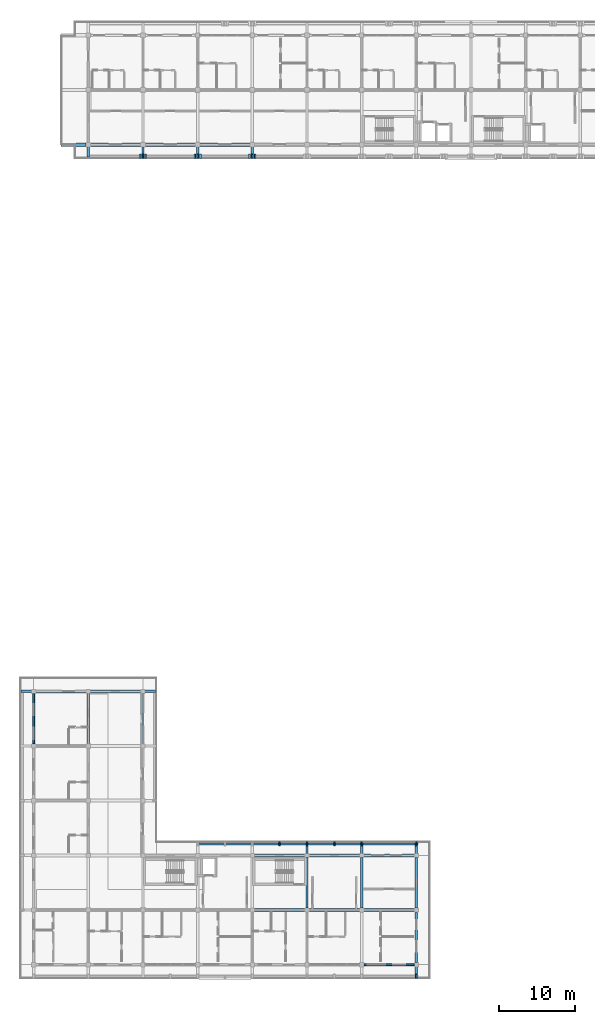
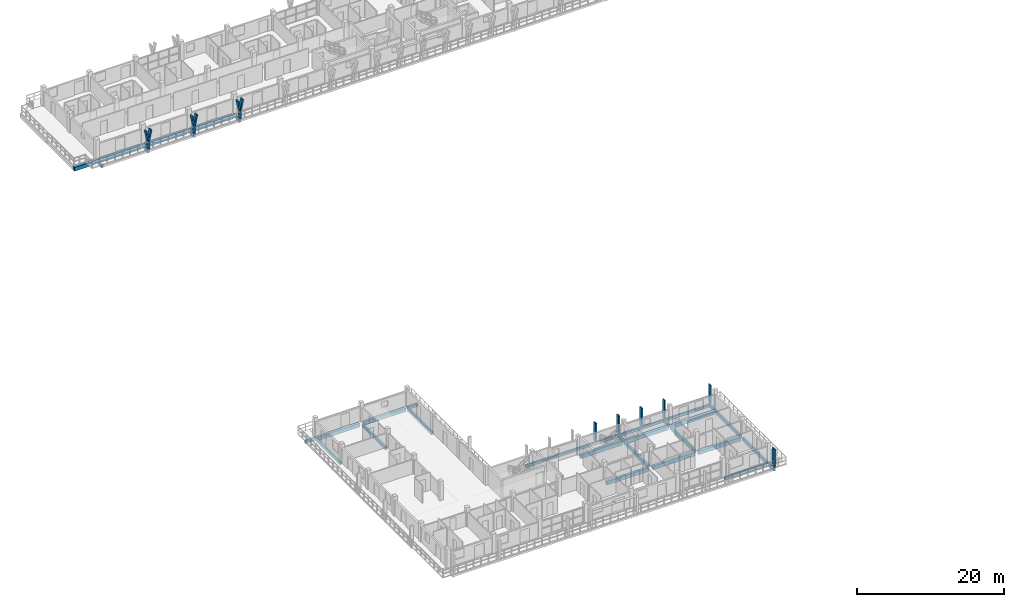
# One storey, part 7 of 73: 31 beams, 15 members.
"""IFC4 building model written with IfcOpenShell, lengths in metres."""

from ifc_helpers import new_model, si_unit, direction, frame, origin, origin_2d, place, context, subcontext, project, spatial, rectangle, extrude, material, material_profile, profile_set, type_object, element, save


model = new_model("IFC4")

# Units and contexts
model_context = context("Model", 3, precision=1e-05, world=origin(), true_north=direction((0.0, 1.0)))
body_context = subcontext(model_context, "Body", "Model", "MODEL_VIEW")
ifc_project = project(units=[si_unit("LENGTHUNIT", "METRE"), si_unit("AREAUNIT", "SQUARE_METRE"), si_unit("VOLUMEUNIT", "CUBIC_METRE"), si_unit("PLANEANGLEUNIT", "RADIAN"), si_unit("MASSUNIT", "GRAM", prefix="KILO")], contexts=[model_context])

# Site, building, storey
site_placement = place(None, origin())
site = spatial("IfcSite", under=ifc_project, at=site_placement, CompositionType="ELEMENT")
building_placement = place(site_placement, origin())
building = spatial("IfcBuilding", under=site, at=building_placement, Name="Suanplinth Sawtooth Commons", CompositionType="ELEMENT")
storey_placement = place(building_placement, frame((0.0, 0.0, 21.89990234375)))
storey = spatial("IfcBuildingStorey", under=building, at=storey_placement, Name="L06", CompositionType="ELEMENT", Elevation=21.89990234375)

# Beams
ifc_material_1 = material(Name="Precast concrete C40/50", Category="concrete")
ifc_material_profile_1 = material_profile(ifc_material_1, rectangle(XDim=0.449951171875, YDim=0.64990234375, at=origin_2d()), Name="PC-GDR 450x650")
ifc_profile_set_1 = profile_set([ifc_material_profile_1], Name="Precast concrete C40/50")
beam_type_1 = type_object("IfcBeamType", Name="B-04", PredefinedType="USERDEFINED", material=ifc_profile_set_1)
beam_1_placement = place(storey_placement, frame((7.52490234375, 108.0, -0.56494140625), z_axis=(1.0, 0.0, 0.0), x_axis=(0.0, 1.0, 0.0)))
element("IfcBeam", 1, at=beam_1_placement, inside=storey, type_object=beam_type_1, Name="BMX-L06-A-1-15", ObjectType="GIRDER", PredefinedType="USERDEFINED", context=body_context, shape_type="SweptSolid", body=[
    extrude(rectangle(XDim=0.449951171875, YDim=0.64990234375, at=origin_2d()), origin(), (0.0, 0.0, 1.0), 6.550048828125),
])
beam_2_placement = place(storey_placement, frame((14.72509765625, 108.0, -0.56494140625), z_axis=(1.0, 0.0, 0.0), x_axis=(0.0, 1.0, 0.0)))
element("IfcBeam", 2, at=beam_2_placement, inside=storey, type_object=beam_type_1, Name="BMX-L06-A-2-15", ObjectType="GIRDER", PredefinedType="USERDEFINED", context=body_context, shape_type="SweptSolid", body=[
    extrude(rectangle(XDim=0.449951171875, YDim=0.64990234375, at=origin_2d()), origin(), (0.0, 0.0, 1.0), 6.5498046875),
])
beam_3_placement = place(storey_placement, frame((21.925048828125, 108.0, -0.56494140625), z_axis=(1.0, 0.0, 0.0), x_axis=(0.0, 1.0, 0.0)))
element("IfcBeam", 3, at=beam_3_placement, inside=storey, type_object=beam_type_1, Name="BMX-L06-A-3-15", ObjectType="GIRDER", PredefinedType="USERDEFINED", context=body_context, shape_type="SweptSolid", body=[
    extrude(rectangle(XDim=0.449951171875, YDim=0.64990234375, at=origin_2d()), origin(), (0.0, 0.0, 1.0), 6.550048828125),
])
beam_4_placement = place(storey_placement, frame((6.875, 108.0, -0.56494140625), z_axis=(-1.0, 0.0, 0.0), x_axis=(0.0, -1.0, 0.0)))
element("IfcBeam", 4, at=beam_4_placement, inside=storey, type_object=beam_type_1, Name="BMX-L06-A-WCANT-15", ObjectType="GIRDER", PredefinedType="USERDEFINED", context=body_context, shape_type="SweptSolid", body=[
    extrude(rectangle(XDim=0.449951171875, YDim=0.64990234375, at=origin_2d()), origin(), (0.0, 0.0, 1.0), 3.27490234375),
])
ifc_material_profile_2 = material_profile(ifc_material_1, rectangle(XDim=0.39990234375, YDim=0.60009765625, at=origin_2d()), Name="PC-GDR 400x600")
ifc_profile_set_2 = profile_set([ifc_material_profile_2], Name="Precast concrete C40/50")
beam_type_2 = type_object("IfcBeamType", Name="B-05", PredefinedType="USERDEFINED", material=ifc_profile_set_2)
beam_5_placement = place(storey_placement, frame((0.300048828125, 36.0, -0.539794921875), z_axis=(1.0, 0.0, 0.0), x_axis=(0.0, 1.0, 0.0)))
element("IfcBeam", 5, at=beam_5_placement, inside=storey, type_object=beam_type_2, Name="BMX-L06-D-0-5", ObjectType="GIRDER", PredefinedType="USERDEFINED", context=body_context, shape_type="SweptSolid", body=[
    extrude(rectangle(XDim=0.39990234375, YDim=0.60009765625, at=origin_2d()), origin(), (0.0, 0.0, 1.0), 6.599853515625),
])
beam_6_placement = place(storey_placement, frame((7.5, 36.0, -0.539794921875), z_axis=(1.0, 0.0, 0.0), x_axis=(0.0, 1.0, 0.0)))
element("IfcBeam", 6, at=beam_6_placement, inside=storey, type_object=beam_type_2, Name="BMX-L06-D-1-5", ObjectType="GIRDER", PredefinedType="USERDEFINED", context=body_context, shape_type="SweptSolid", body=[
    extrude(rectangle(XDim=0.39990234375, YDim=0.60009765625, at=origin_2d()), origin(), (0.0, 0.0, 1.0), 6.60009765625),
])
for number, where, z_axis, x_axis, name in (
    (7, (29.10009765625, 7.199951171875, -0.539794921875), (1.0, 0.0, 0.0), (0.0, 1.0, 0.0), "BMX-L06-D-4-1"),
    (8, (29.10009765625, 14.39990234375, -0.539794921875), (1.0, 0.0, 0.0), (0.0, 1.0, 0.0), "BMX-L06-D-4-2"),
    (9, (36.300048828125, 7.199951171875, -0.539794921875), (1.0, 0.0, 0.0), (0.0, 1.0, 0.0), "BMX-L06-D-5-1"),
    (10, (36.300048828125, 14.39990234375, -0.539794921875), (1.0, 0.0, 0.0), (0.0, 1.0, 0.0), "BMX-L06-D-5-2"),
):
    element("IfcBeam", number, at=place(storey_placement, frame(where, z_axis=z_axis, x_axis=x_axis)), inside=storey, type_object=beam_type_2, Name=name, ObjectType="GIRDER", PredefinedType="USERDEFINED", context=body_context, shape_type="SweptSolid", body=[
        extrude(rectangle(XDim=0.39990234375, YDim=0.60009765625, at=origin_2d()), origin(), (0.0, 0.0, 1.0), 6.599853515625),
    ])
for number, where, z_axis, x_axis, name in (
    (11, (43.5, 7.199951171875, -0.539794921875), (1.0, 0.0, 0.0), (0.0, 1.0, 0.0), "BMX-L06-D-6-1"),
    (12, (43.5, 14.39990234375, -0.539794921875), (1.0, 0.0, 0.0), (0.0, 1.0, 0.0), "BMX-L06-D-6-2"),
):
    element("IfcBeam", number, at=place(storey_placement, frame(where, z_axis=z_axis, x_axis=x_axis)), inside=storey, type_object=beam_type_2, Name=name, ObjectType="GIRDER", PredefinedType="USERDEFINED", context=body_context, shape_type="SweptSolid", body=[
        extrude(rectangle(XDim=0.39990234375, YDim=0.60009765625, at=origin_2d()), origin(), (0.0, 0.0, 1.0), 6.60009765625),
    ])
ifc_material_profile_3 = material_profile(ifc_material_1, rectangle(XDim=0.300048828125, YDim=0.5, at=origin_2d()), Name="PC-BM 300x500")
ifc_profile_set_3 = profile_set([ifc_material_profile_3], Name="Precast concrete C40/50")
beam_type_3 = type_object("IfcBeamType", Name="B-07", PredefinedType="BEAM", material=ifc_profile_set_3)
for number, where, z_axis, x_axis, name in (
    (13, (7.199951171875, 29.10009765625, -0.489990234375), (0.0, 1.0, 0.0), (-1.0, 0.0, 0.0), "BMY-L06-D-1-4"),
    (14, (14.39990234375, 29.10009765625, -0.489990234375), (0.0, 1.0, 0.0), (-1.0, 0.0, 0.0), "BMY-L06-D-2-4"),
):
    element("IfcBeam", number, at=place(storey_placement, frame(where, z_axis=z_axis, x_axis=x_axis)), inside=storey, type_object=beam_type_3, Name=name, PredefinedType="BEAM", context=body_context, shape_type="SweptSolid", body=[
        extrude(rectangle(XDim=0.300048828125, YDim=0.5, at=origin_2d()), origin(), (0.0, 0.0, 1.0), 6.599853515625),
    ])
for number, where, z_axis, x_axis, name in (
    (15, (36.0, 7.5, -0.489990234375), (0.0, 1.0, 0.0), (-1.0, 0.0, 0.0), "BMY-L06-D-5-1"),
    (16, (43.199951171875, 7.5, -0.489990234375), (0.0, 1.0, 0.0), (-1.0, 0.0, 0.0), "BMY-L06-D-6-1"),
):
    element("IfcBeam", number, at=place(storey_placement, frame(where, z_axis=z_axis, x_axis=x_axis)), inside=storey, type_object=beam_type_3, Name=name, PredefinedType="BEAM", context=body_context, shape_type="SweptSolid", body=[
        extrude(rectangle(XDim=0.300048828125, YDim=0.5, at=origin_2d()), origin(), (0.0, 0.0, 1.0), 6.60009765625),
    ])
beam_7_placement = place(storey_placement, frame((50.39990234375, 0.300048828125, -0.489990234375), z_axis=(0.0, 1.0, 0.0), x_axis=(-1.0, 0.0, 0.0)))
element("IfcBeam", 17, at=beam_7_placement, inside=storey, type_object=beam_type_3, Name="BMY-L06-D-7-0", PredefinedType="BEAM", context=body_context, shape_type="SweptSolid", body=[
    extrude(rectangle(XDim=0.300048828125, YDim=0.5, at=origin_2d()), origin(), (0.0, 0.0, 1.0), 6.599853515625),
])
beam_8_placement = place(storey_placement, frame((50.39990234375, 7.5, -0.489990234375), z_axis=(0.0, 1.0, 0.0), x_axis=(-1.0, 0.0, 0.0)))
element("IfcBeam", 18, at=beam_8_placement, inside=storey, type_object=beam_type_3, Name="BMY-L06-D-7-1", PredefinedType="BEAM", context=body_context, shape_type="SweptSolid", body=[
    extrude(rectangle(XDim=0.300048828125, YDim=0.5, at=origin_2d()), origin(), (0.0, 0.0, 1.0), 6.60009765625),
])
for number, where, z_axis, x_axis, name in (
    (19, (7.199951171875, 108.0, -0.429931640625), (0.0, -1.0, 0.0), (1.0, 0.0, 0.0), "Balcony Outrigger L06-A-S-1"),
    (20, (14.39990234375, 108.0, -0.429931640625), (0.0, -1.0, 0.0), (1.0, 0.0, 0.0), "Balcony Outrigger L06-A-S-2"),
    (21, (21.60009765625, 108.0, -0.429931640625), (0.0, -1.0, 0.0), (1.0, 0.0, 0.0), "Balcony Outrigger L06-A-S-3"),
    (22, (28.800048828125, 108.0, -0.429931640625), (0.0, -1.0, 0.0), (1.0, 0.0, 0.0), "Balcony Outrigger L06-A-S-4"),
    (23, (50.39990234375, 0.0, -0.429931640625), (0.0, -1.0, 0.0), (1.0, 0.0, 0.0), "Balcony Outrigger L06-D-S-7"),
    (24, (0.0, 36.0, -0.429931640625), (-1.0, 0.0, 0.0), (0.0, -1.0, 0.0), "Balcony Outrigger L06-D-W-5"),
):
    element("IfcBeam", number, at=place(storey_placement, frame(where, z_axis=z_axis, x_axis=x_axis)), inside=storey, type_object=beam_type_3, Name=name, PredefinedType="BEAM", context=body_context, shape_type="SweptSolid", body=[
        extrude(rectangle(XDim=0.300048828125, YDim=0.5, at=origin_2d()), origin(), (0.0, 0.0, 1.0), 1.639892578125),
    ])
for number, where, z_axis, x_axis, name in (
    (25, (36.0, 14.39990234375, -0.4248046875), (0.0, 1.0, 0.0), (-1.0, 0.0, 0.0), "Balcony Outrigger L06-D-NC-5"),
    (26, (43.199951171875, 14.39990234375, -0.4248046875), (0.0, 1.0, 0.0), (-1.0, 0.0, 0.0), "Balcony Outrigger L06-D-NC-6"),
    (27, (50.39990234375, 14.39990234375, -0.4248046875), (0.0, 1.0, 0.0), (-1.0, 0.0, 0.0), "Balcony Outrigger L06-D-NC-7"),
    (28, (14.39990234375, 36.0, -0.4248046875), (1.0, 0.0, 0.0), (0.0, 1.0, 0.0), "Balcony Outrigger L06-D-EC-5"),
):
    element("IfcBeam", number, at=place(storey_placement, frame(where, z_axis=z_axis, x_axis=x_axis)), inside=storey, type_object=beam_type_3, Name=name, PredefinedType="BEAM", context=body_context, shape_type="SweptSolid", body=[
        extrude(rectangle(XDim=0.300048828125, YDim=0.5, at=origin_2d()), origin(), (0.0, 0.0, 1.0), 1.64013671875),
    ])
ifc_material_profile_4 = material_profile(ifc_material_1, rectangle(XDim=0.25, YDim=0.449951171875, at=origin_2d()), Name="PC-SP 250x450")
ifc_profile_set_4 = profile_set([ifc_material_profile_4], Name="Precast concrete C40/50")
beam_type_4 = type_object("IfcBeamType", Name="B-09", PredefinedType="SPANDREL", material=ifc_profile_set_4)
beam_9_placement = place(storey_placement, frame((43.5, 0.0, -0.46484375), z_axis=(1.0, 0.0, 0.0), x_axis=(0.0, 1.0, 0.0)))
element("IfcBeam", 29, at=beam_9_placement, inside=storey, type_object=beam_type_4, Name="BMX-L06-D-6-0", PredefinedType="SPANDREL", context=body_context, shape_type="SweptSolid", body=[
    extrude(rectangle(XDim=0.25, YDim=0.449951171875, at=origin_2d()), origin(), (0.0, 0.0, 1.0), 6.60009765625),
])
beam_10_placement = place(storey_placement, frame((0.0, 29.10009765625, -0.46484375), z_axis=(0.0, 1.0, 0.0), x_axis=(-1.0, 0.0, 0.0)))
element("IfcBeam", 30, at=beam_10_placement, inside=storey, type_object=beam_type_4, Name="BMY-L06-D-0-4", PredefinedType="SPANDREL", context=body_context, shape_type="SweptSolid", body=[
    extrude(rectangle(XDim=0.25, YDim=0.449951171875, at=origin_2d()), origin(), (0.0, 0.0, 1.0), 6.599853515625),
])
beam_11_placement = place(storey_placement, frame((21.449951171875, 15.919921875, -0.39990234375), z_axis=(1.0, 0.0, 0.0), x_axis=(0.0, 1.0, 0.0)))
element("IfcBeam", 31, at=beam_11_placement, inside=storey, type_object=beam_type_4, Name="Balcony Edge Fascia L06-D-NC", PredefinedType="SPANDREL", context=body_context, shape_type="SweptSolid", body=[
    extrude(rectangle(XDim=0.25, YDim=0.449951171875, at=origin_2d()), origin(), (0.0, 0.0, 1.0), 29.10009765625),
])

# Members
ifc_material_2 = material(Name="Pigmented precast concrete C40/50", Category="concrete")
ifc_material_profile_5 = material_profile(ifc_material_2, rectangle(XDim=0.260009765625, YDim=0.550048828125, at=origin_2d()), Name="PC-FIN 260x550")
ifc_profile_set_5 = profile_set([ifc_material_profile_5], Name="Pigmented precast concrete C40/50")
member_type_1 = type_object("IfcMemberType", Name="M-09", PredefinedType="USERDEFINED", material=ifc_profile_set_5)
for number, where, z_axis, x_axis, name in (
    (32, (14.39990234375, 106.47998046875, 0.0), (0.0, 0.0, 1.0), (1.0, 0.0, 0.0), "Y-Blade Stem L06-A-S-09"),
    (33, (21.60009765625, 106.47998046875, 0.0), (0.0, 0.0, 1.0), (1.0, 0.0, 0.0), "Y-Blade Stem L06-A-S-10"),
    (34, (28.800048828125, 106.47998046875, 0.0), (0.0, 0.0, 1.0), (1.0, 0.0, 0.0), "Y-Blade Stem L06-A-S-11"),
):
    element("IfcMember", number, at=place(storey_placement, frame(where, z_axis=z_axis, x_axis=x_axis)), inside=storey, type_object=member_type_1, Name=name, ObjectType="SHADING FIN", PredefinedType="USERDEFINED", context=body_context, shape_type="SweptSolid", body=[
        extrude(rectangle(XDim=0.260009765625, YDim=0.550048828125, at=origin_2d()), origin(), (0.0, 0.0, 1.0), 1.170166015625),
    ])
ifc_material_profile_6 = material_profile(ifc_material_2, rectangle(XDim=0.219970703125, YDim=0.550048828125, at=origin_2d()), Name="PC-FIN 220x550")
ifc_profile_set_6 = profile_set([ifc_material_profile_6], Name="Pigmented precast concrete C40/50")
member_type_2 = type_object("IfcMemberType", Name="M-10", PredefinedType="USERDEFINED", material=ifc_profile_set_6)
member_1_placement = place(storey_placement, frame((14.39990234375, 106.47998046875, 1.130126953125), z_axis=(-0.196309979414, 0.0, 0.980541886909), x_axis=(0.980541886909, 0.0, 0.196309979414)))
element("IfcMember", 35, at=member_1_placement, inside=storey, type_object=member_type_2, Name="Y-Blade Arm L L06-A-S-09", ObjectType="SHADING FIN", PredefinedType="USERDEFINED", context=body_context, shape_type="SweptSolid", body=[
    extrude(rectangle(XDim=0.219970703125, YDim=0.550048828125, at=origin_2d()), origin(), (0.0, 0.0, 1.0), 1.9375),
])
for number, where, z_axis, x_axis, name in (
    (36, (14.39990234375, 106.47998046875, 1.130126953125), (0.196431120402, 0.0, 0.980517626021), (-0.980517626021, 0.0, 0.196431120402), "Y-Blade Arm R L06-A-S-09"),
    (37, (21.60009765625, 106.47998046875, 1.130126953125), (-0.196431120402, 0.0, 0.980517626021), (0.980517626021, 0.0, 0.196431120402), "Y-Blade Arm L L06-A-S-10"),
):
    element("IfcMember", number, at=place(storey_placement, frame(where, z_axis=z_axis, x_axis=x_axis)), inside=storey, type_object=member_type_2, Name=name, ObjectType="SHADING FIN", PredefinedType="USERDEFINED", context=body_context, shape_type="SweptSolid", body=[
        extrude(rectangle(XDim=0.219970703125, YDim=0.550048828125, at=origin_2d()), origin(), (0.0, 0.0, 1.0), 1.937744140625),
    ])
member_2_placement = place(storey_placement, frame((21.60009765625, 106.47998046875, 1.130126953125), z_axis=(0.196309979414, 0.0, 0.980541886909), x_axis=(-0.980541886909, 0.0, 0.196309979414)))
element("IfcMember", 38, at=member_2_placement, inside=storey, type_object=member_type_2, Name="Y-Blade Arm R L06-A-S-10", ObjectType="SHADING FIN", PredefinedType="USERDEFINED", context=body_context, shape_type="SweptSolid", body=[
    extrude(rectangle(XDim=0.219970703125, YDim=0.550048828125, at=origin_2d()), origin(), (0.0, 0.0, 1.0), 1.9375),
])
member_3_placement = place(storey_placement, frame((28.800048828125, 106.47998046875, 1.130126953125), z_axis=(-0.196431120402, 0.0, 0.980517626021), x_axis=(0.980517626021, 0.0, 0.196431120402)))
element("IfcMember", 39, at=member_3_placement, inside=storey, type_object=member_type_2, Name="Y-Blade Arm L L06-A-S-11", ObjectType="SHADING FIN", PredefinedType="USERDEFINED", context=body_context, shape_type="SweptSolid", body=[
    extrude(rectangle(XDim=0.219970703125, YDim=0.550048828125, at=origin_2d()), origin(), (0.0, 0.0, 1.0), 1.937744140625),
])
member_4_placement = place(storey_placement, frame((28.800048828125, 106.47998046875, 1.130126953125), z_axis=(0.196309979414, 0.0, 0.980541886909), x_axis=(-0.980541886909, 0.0, 0.196309979414)))
element("IfcMember", 40, at=member_4_placement, inside=storey, type_object=member_type_2, Name="Y-Blade Arm R L06-A-S-11", ObjectType="SHADING FIN", PredefinedType="USERDEFINED", context=body_context, shape_type="SweptSolid", body=[
    extrude(rectangle(XDim=0.219970703125, YDim=0.550048828125, at=origin_2d()), origin(), (0.0, 0.0, 1.0), 1.9375),
])
ifc_material_profile_7 = material_profile(ifc_material_2, rectangle(XDim=0.25, YDim=0.5400390625, at=origin_2d()), Name="PC-FIN 250x540")
ifc_profile_set_7 = profile_set([ifc_material_profile_7], Name="Pigmented precast concrete C40/50")
member_type_3 = type_object("IfcMemberType", Name="M-11", PredefinedType="USERDEFINED", material=ifc_profile_set_7)
member_5_placement = place(storey_placement, frame((50.39990234375, -1.52001953125, 0.0), z_axis=(0.0, 0.0, 1.0), x_axis=(1.0, 0.0, 0.0)))
element("IfcMember", 41, at=member_5_placement, inside=storey, type_object=member_type_3, Name="Upright Solar Blade L06-D-S-09", ObjectType="SHADING FIN", PredefinedType="USERDEFINED", context=body_context, shape_type="SweptSolid", body=[
    extrude(rectangle(XDim=0.25, YDim=0.5400390625, at=origin_2d()), origin(), (0.0, 0.0, 1.0), 3.030029296875),
])
ifc_material_profile_8 = material_profile(ifc_material_2, rectangle(XDim=0.2099609375, YDim=0.52001953125, at=origin_2d()), Name="PC-FIN 210x520")
ifc_profile_set_8 = profile_set([ifc_material_profile_8], Name="Pigmented precast concrete C40/50")
member_type_4 = type_object("IfcMemberType", Name="M-12", PredefinedType="USERDEFINED", material=ifc_profile_set_8)
for number, where, z_axis, x_axis, name in (
    (42, (32.39990234375, 15.919921875, 0.0), (0.0, 0.0, 1.0), (1.0, 0.0, 0.0), "Upright Solar Blade L06-D-NC-16"),
    (43, (36.0, 15.919921875, 0.0), (0.0, 0.0, 1.0), (1.0, 0.0, 0.0), "Upright Solar Blade L06-D-NC-17"),
    (44, (39.60009765625, 15.919921875, 0.0), (0.0, 0.0, 1.0), (1.0, 0.0, 0.0), "Upright Solar Blade L06-D-NC-18"),
    (45, (43.199951171875, 15.919921875, 0.0), (0.0, 0.0, 1.0), (1.0, 0.0, 0.0), "Upright Solar Blade L06-D-NC-19"),
    (46, (50.39990234375, 15.919921875, 0.0), (0.0, 0.0, 1.0), (1.0, 0.0, 0.0), "Upright Solar Blade L06-D-NC-20"),
):
    element("IfcMember", number, at=place(storey_placement, frame(where, z_axis=z_axis, x_axis=x_axis)), inside=storey, type_object=member_type_4, Name=name, ObjectType="SHADING FIN", PredefinedType="USERDEFINED", context=body_context, shape_type="SweptSolid", body=[
        extrude(rectangle(XDim=0.2099609375, YDim=0.52001953125, at=origin_2d()), origin(), (0.0, 0.0, 1.0), 3.030029296875),
    ])

save(model, "model.ifc")
